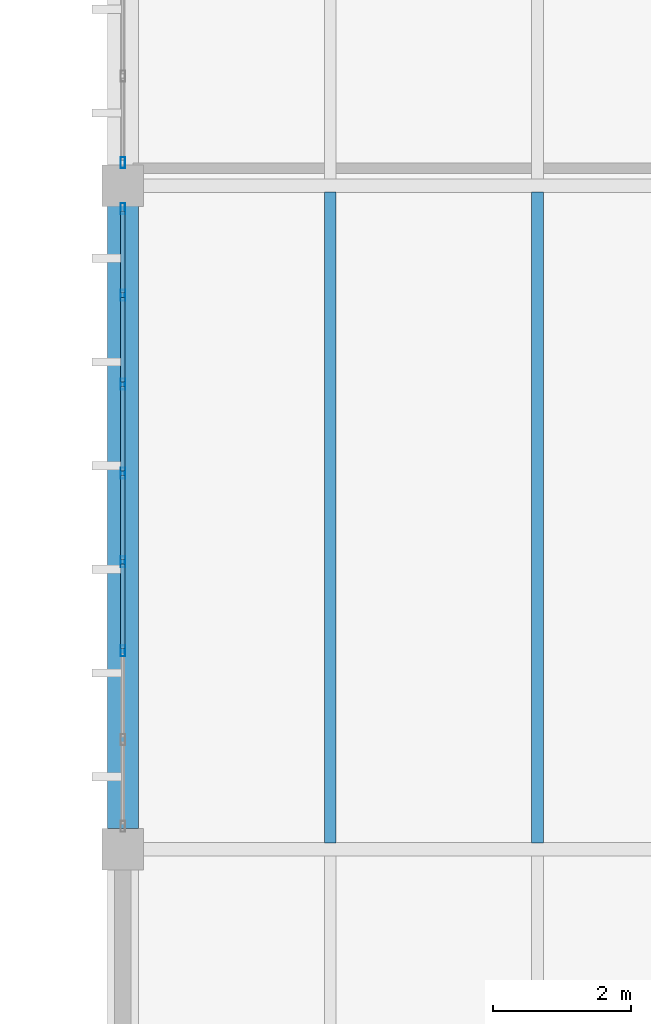
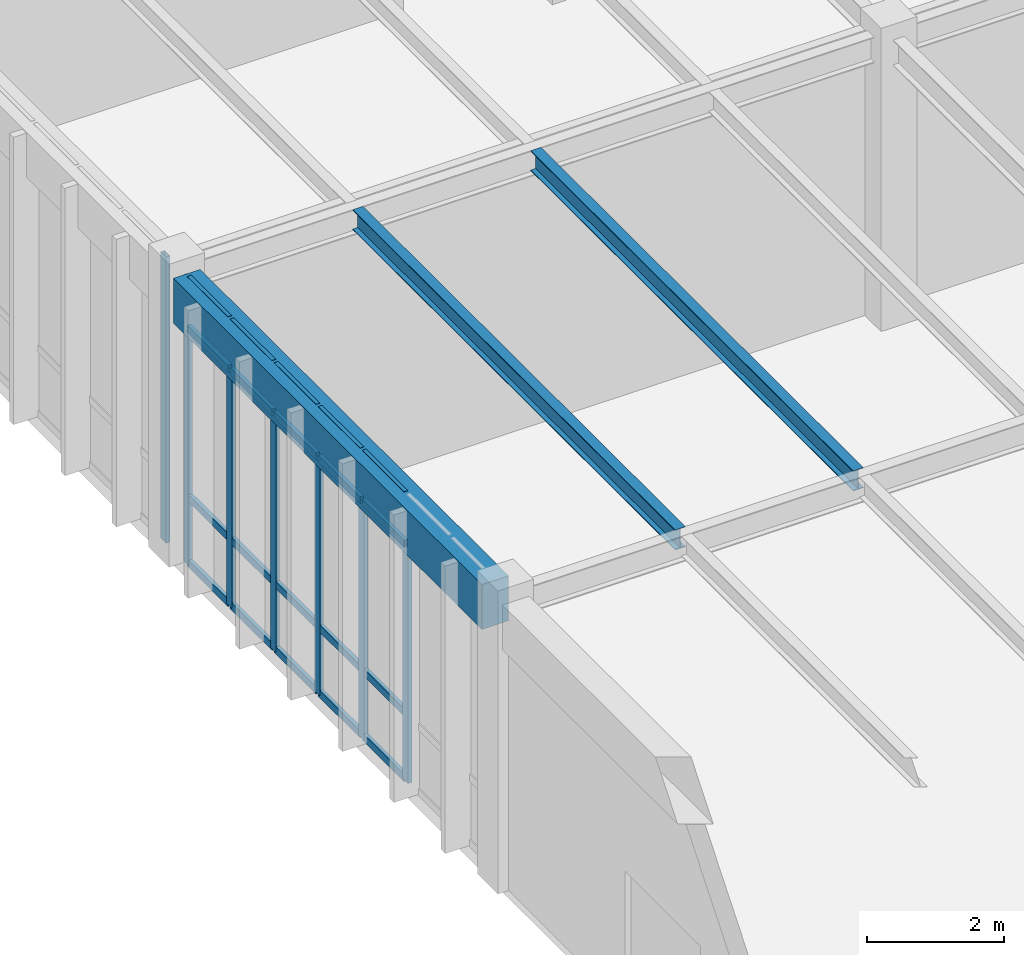
# One storey, part 98 of 188: 27 members, 3 beams, 2 elements without a shape of their own.
"""IFC4 building model written with IfcOpenShell, lengths in metres."""

from ifc_helpers import new_model, si_unit, direction, frame, origin, origin_2d, place, context, subcontext, project, spatial, rectangle, hollow_rectangle, i_section, extrude, material, layer, layer_set, material_profile, profile_set, type_object, element, aggregate, save


model = new_model("IFC4")

# Units and contexts
model_context = context("Model", 3, precision=1e-05, world=origin(), true_north=direction((0.0, 1.0)))
body_context = subcontext(model_context, "Body", "Model", "MODEL_VIEW")
ifc_project = project(units=[si_unit("LENGTHUNIT", "METRE"), si_unit("AREAUNIT", "SQUARE_METRE"), si_unit("VOLUMEUNIT", "CUBIC_METRE"), si_unit("PLANEANGLEUNIT", "RADIAN"), si_unit("MASSUNIT", "GRAM", prefix="KILO")], contexts=[model_context])

# Site, building, storey
site_placement = place(None, origin())
site = spatial("IfcSite", under=ifc_project, at=site_placement, CompositionType="ELEMENT")
building_placement = place(site_placement, origin())
building = spatial("IfcBuilding", under=site, at=building_placement, Name="Pandanus Reach Market Hall", CompositionType="ELEMENT")
storey_placement = place(building_placement, origin())
storey = spatial("IfcBuildingStorey", under=building, at=storey_placement, Name="L00", CompositionType="ELEMENT", Elevation=0.0)

# Beam
ifc_material_1 = material(Name="Concrete N40 (40 MPa)", Category="concrete")
ifc_material_profile_1 = material_profile(ifc_material_1, rectangle(XDim=0.449951171875, YDim=0.800048828125, at=origin_2d()), Name="RC450x800", Category="LoadBearing")
ifc_profile_set_1 = profile_set([ifc_material_profile_1], Name="Concrete N40 (40 MPa)")
beam_type_1 = type_object("IfcBeamType", Name="BM-RC450-E", PredefinedType="SPANDREL", material=ifc_profile_set_1)
beam_placement = place(storey_placement, frame((144.0, 29.097900390625, 4.72509765625), z_axis=(0.0, 1.0, 0.0), x_axis=(-1.0, 0.0, 0.0)))
element("IfcBeam", 1, at=beam_placement, inside=storey, type_object=beam_type_1, Name="Framing beam BM-RC450-E L00.191", PredefinedType="SPANDREL", context=body_context, shape_type="SweptSolid", body=[
    extrude(rectangle(XDim=0.449951171875, YDim=0.800048828125, at=origin_2d()), origin(), (0.0, 0.0, 1.0), 9.004150390625),
])

# Curtain wall, members
ifc_material_2 = material(Name="Bronze anodised aluminium and low-E glass", Category="aluminium")
ifc_layer = layer(ifc_material_2, 0.159912109375, Name="CW-26")
ifc_layer_set = layer_set([ifc_layer], Name="Bronze anodised aluminium and low-E glass")
curtain_wall_type = type_object("IfcCurtainWallType", Name="CW-26", PredefinedType="NOTDEFINED", material=ifc_layer_set)
curtain_wall_1_placement = place(storey_placement, origin())
curtain_wall_1 = element("IfcCurtainWall", 2, at=curtain_wall_1_placement, inside=storey, type_object=curtain_wall_type, Name="Glazed curtain wall CW-26 CW-0077", PredefinedType="NOTDEFINED")
ifc_material_3 = material(Name="Bronze anodised aluminium", Category="aluminium")
ifc_material_profile_2 = material_profile(ifc_material_3, hollow_rectangle(XDim=0.06494140625, YDim=0.159912109375, WallThickness=0.00390625, at=origin_2d()), Name="ALU65x160", Category="LoadBearing")
ifc_profile_set_2 = profile_set([ifc_material_profile_2], Name="Bronze anodised aluminium")
member_type_1 = type_object("IfcMemberType", Name="CW-M1", PredefinedType="MULLION", material=ifc_profile_set_2)
member_1_placement = place(storey_placement, frame((144.0, 31.67138671875, 0.0), z_axis=(0.0, 0.0, 1.0), x_axis=(-1.0, 0.0, 0.0)))
member_1 = element("IfcMember", 3, at=member_1_placement, type_object=member_type_1, Name="CW-26 mullion 3", PredefinedType="MULLION", context=body_context, shape_type="SweptSolid", body=[
    extrude(hollow_rectangle(XDim=0.06494140625, YDim=0.159912109375, WallThickness=0.00390625, at=origin_2d()), origin(), (0.0, 0.0, 1.0), 5.10009765625),
])
member_2_placement = place(storey_placement, frame((144.0, 32.95703125, 0.0), z_axis=(0.0, 0.0, 1.0), x_axis=(-1.0, 0.0, 0.0)))
member_2 = element("IfcMember", 4, at=member_2_placement, type_object=member_type_1, Name="CW-26 mullion 4", PredefinedType="MULLION", context=body_context, shape_type="SweptSolid", body=[
    extrude(hollow_rectangle(XDim=0.06494140625, YDim=0.159912109375, WallThickness=0.00390625, at=origin_2d()), origin(), (0.0, 0.0, 1.0), 5.10009765625),
])
member_3_placement = place(storey_placement, frame((144.0, 34.242919921875, 0.0), z_axis=(0.0, 0.0, 1.0), x_axis=(-1.0, 0.0, 0.0)))
member_3 = element("IfcMember", 5, at=member_3_placement, type_object=member_type_1, Name="CW-26 mullion 5", PredefinedType="MULLION", context=body_context, shape_type="SweptSolid", body=[
    extrude(hollow_rectangle(XDim=0.06494140625, YDim=0.159912109375, WallThickness=0.00390625, at=origin_2d()), origin(), (0.0, 0.0, 1.0), 5.10009765625),
])
member_4_placement = place(storey_placement, frame((144.0, 35.528564453125, 0.0), z_axis=(0.0, 0.0, 1.0), x_axis=(-1.0, 0.0, 0.0)))
member_4 = element("IfcMember", 6, at=member_4_placement, type_object=member_type_1, Name="CW-26 mullion 6", PredefinedType="MULLION", context=body_context, shape_type="SweptSolid", body=[
    extrude(hollow_rectangle(XDim=0.06494140625, YDim=0.159912109375, WallThickness=0.00390625, at=origin_2d()), origin(), (0.0, 0.0, 1.0), 5.10009765625),
])
member_5_placement = place(storey_placement, frame((144.0, 36.814208984375, 0.0), z_axis=(0.0, 0.0, 1.0), x_axis=(-1.0, 0.0, 0.0)))
member_5 = element("IfcMember", 7, at=member_5_placement, type_object=member_type_1, Name="CW-26 mullion 7", PredefinedType="MULLION", context=body_context, shape_type="SweptSolid", body=[
    extrude(hollow_rectangle(XDim=0.06494140625, YDim=0.159912109375, WallThickness=0.00390625, at=origin_2d()), origin(), (0.0, 0.0, 1.0), 5.10009765625),
])
member_6_placement = place(storey_placement, frame((144.0, 38.0673828125, 0.0), z_axis=(0.0, 0.0, 1.0), x_axis=(-1.0, 0.0, 0.0)))
member_6 = element("IfcMember", 8, at=member_6_placement, type_object=member_type_1, Name="CW-26 mullion 8", PredefinedType="MULLION", context=body_context, shape_type="SweptSolid", body=[
    extrude(hollow_rectangle(XDim=0.06494140625, YDim=0.159912109375, WallThickness=0.00390625, at=origin_2d()), origin(), (0.0, 0.0, 1.0), 5.10009765625),
])

# Curtain wall, member
curtain_wall_2_placement = place(storey_placement, origin())
curtain_wall_2 = element("IfcCurtainWall", 9, at=curtain_wall_2_placement, inside=storey, type_object=curtain_wall_type, Name="Glazed curtain wall CW-26 CW-0078", PredefinedType="NOTDEFINED")
member_7_placement = place(storey_placement, frame((144.0, 38.732421875, 0.0), z_axis=(0.0, 0.0, 1.0), x_axis=(-1.0, 0.0, 0.0)))
member_7 = element("IfcMember", 10, at=member_7_placement, type_object=member_type_1, Name="CW-26 mullion 1", PredefinedType="MULLION", context=body_context, shape_type="SweptSolid", body=[
    extrude(hollow_rectangle(XDim=0.06494140625, YDim=0.159912109375, WallThickness=0.00390625, at=origin_2d()), origin(), (0.0, 0.0, 1.0), 5.10009765625),
])
aggregate(curtain_wall_2, [member_7])

# Member
ifc_material_profile_3 = material_profile(ifc_material_3, hollow_rectangle(XDim=0.06494140625, YDim=0.1298828125, WallThickness=0.00390625, at=origin_2d()), Name="ALU65x130", Category="LoadBearing")
ifc_profile_set_3 = profile_set([ifc_material_profile_3], Name="Bronze anodised aluminium")
member_type_2 = type_object("IfcMemberType", Name="CW-T1", PredefinedType="USERDEFINED", material=ifc_profile_set_3)
member_8_placement = place(storey_placement, frame((144.0, 31.703857421875, 0.032470703125), z_axis=(0.0, 1.0, 0.0), x_axis=(-1.0, 0.0, 0.0)))
member_8 = element("IfcMember", 11, at=member_8_placement, type_object=member_type_2, Name="CW-26 transom 3.1", ObjectType="TRANSOM", PredefinedType="USERDEFINED", context=body_context, shape_type="SweptSolid", body=[
    extrude(hollow_rectangle(XDim=0.06494140625, YDim=0.1298828125, WallThickness=0.00390625, at=origin_2d()), origin(), (0.0, 0.0, 1.0), 1.220703125),
])

member_9_placement = place(storey_placement, frame((144.0, 31.703857421875, 1.199951171875), z_axis=(0.0, 1.0, 0.0), x_axis=(-1.0, 0.0, 0.0)))
member_9 = element("IfcMember", 12, at=member_9_placement, type_object=member_type_2, Name="CW-26 transom 3.2", ObjectType="TRANSOM", PredefinedType="USERDEFINED", context=body_context, shape_type="SweptSolid", body=[
    extrude(hollow_rectangle(XDim=0.06494140625, YDim=0.1298828125, WallThickness=0.00390625, at=origin_2d()), origin(), (0.0, 0.0, 1.0), 1.220703125),
])

member_10_placement = place(storey_placement, frame((144.0, 31.703857421875, 4.199951171875), z_axis=(0.0, 1.0, 0.0), x_axis=(-1.0, 0.0, 0.0)))
member_10 = element("IfcMember", 13, at=member_10_placement, type_object=member_type_2, Name="CW-26 transom 3.3", ObjectType="TRANSOM", PredefinedType="USERDEFINED", context=body_context, shape_type="SweptSolid", body=[
    extrude(hollow_rectangle(XDim=0.06494140625, YDim=0.1298828125, WallThickness=0.00390625, at=origin_2d()), origin(), (0.0, 0.0, 1.0), 1.220703125),
])

member_11_placement = place(storey_placement, frame((144.0, 31.703857421875, 5.0673828125), z_axis=(0.0, 1.0, 0.0), x_axis=(-1.0, 0.0, 0.0)))
member_11 = element("IfcMember", 14, at=member_11_placement, type_object=member_type_2, Name="CW-26 transom 3.4", ObjectType="TRANSOM", PredefinedType="USERDEFINED", context=body_context, shape_type="SweptSolid", body=[
    extrude(hollow_rectangle(XDim=0.06494140625, YDim=0.1298828125, WallThickness=0.00390625, at=origin_2d()), origin(), (0.0, 0.0, 1.0), 1.220703125),
])

member_12_placement = place(storey_placement, frame((144.0, 32.98974609375, 0.032470703125), z_axis=(0.0, 1.0, 0.0), x_axis=(-1.0, 0.0, 0.0)))
member_12 = element("IfcMember", 15, at=member_12_placement, type_object=member_type_2, Name="CW-26 transom 4.1", ObjectType="TRANSOM", PredefinedType="USERDEFINED", context=body_context, shape_type="SweptSolid", body=[
    extrude(hollow_rectangle(XDim=0.06494140625, YDim=0.1298828125, WallThickness=0.00390625, at=origin_2d()), origin(), (0.0, 0.0, 1.0), 1.220703125),
])

member_13_placement = place(storey_placement, frame((144.0, 32.98974609375, 1.199951171875), z_axis=(0.0, 1.0, 0.0), x_axis=(-1.0, 0.0, 0.0)))
member_13 = element("IfcMember", 16, at=member_13_placement, type_object=member_type_2, Name="CW-26 transom 4.2", ObjectType="TRANSOM", PredefinedType="USERDEFINED", context=body_context, shape_type="SweptSolid", body=[
    extrude(hollow_rectangle(XDim=0.06494140625, YDim=0.1298828125, WallThickness=0.00390625, at=origin_2d()), origin(), (0.0, 0.0, 1.0), 1.220703125),
])

member_14_placement = place(storey_placement, frame((144.0, 32.98974609375, 4.199951171875), z_axis=(0.0, 1.0, 0.0), x_axis=(-1.0, 0.0, 0.0)))
member_14 = element("IfcMember", 17, at=member_14_placement, type_object=member_type_2, Name="CW-26 transom 4.3", ObjectType="TRANSOM", PredefinedType="USERDEFINED", context=body_context, shape_type="SweptSolid", body=[
    extrude(hollow_rectangle(XDim=0.06494140625, YDim=0.1298828125, WallThickness=0.00390625, at=origin_2d()), origin(), (0.0, 0.0, 1.0), 1.220703125),
])

member_15_placement = place(storey_placement, frame((144.0, 32.98974609375, 5.0673828125), z_axis=(0.0, 1.0, 0.0), x_axis=(-1.0, 0.0, 0.0)))
member_15 = element("IfcMember", 18, at=member_15_placement, type_object=member_type_2, Name="CW-26 transom 4.4", ObjectType="TRANSOM", PredefinedType="USERDEFINED", context=body_context, shape_type="SweptSolid", body=[
    extrude(hollow_rectangle(XDim=0.06494140625, YDim=0.1298828125, WallThickness=0.00390625, at=origin_2d()), origin(), (0.0, 0.0, 1.0), 1.220703125),
])

member_16_placement = place(storey_placement, frame((144.0, 34.275390625, 0.032470703125), z_axis=(0.0, 1.0, 0.0), x_axis=(-1.0, 0.0, 0.0)))
member_16 = element("IfcMember", 19, at=member_16_placement, type_object=member_type_2, Name="CW-26 transom 5.1", ObjectType="TRANSOM", PredefinedType="USERDEFINED", context=body_context, shape_type="SweptSolid", body=[
    extrude(hollow_rectangle(XDim=0.06494140625, YDim=0.1298828125, WallThickness=0.00390625, at=origin_2d()), origin(), (0.0, 0.0, 1.0), 1.220703125),
])

member_17_placement = place(storey_placement, frame((144.0, 34.275390625, 1.199951171875), z_axis=(0.0, 1.0, 0.0), x_axis=(-1.0, 0.0, 0.0)))
member_17 = element("IfcMember", 20, at=member_17_placement, type_object=member_type_2, Name="CW-26 transom 5.2", ObjectType="TRANSOM", PredefinedType="USERDEFINED", context=body_context, shape_type="SweptSolid", body=[
    extrude(hollow_rectangle(XDim=0.06494140625, YDim=0.1298828125, WallThickness=0.00390625, at=origin_2d()), origin(), (0.0, 0.0, 1.0), 1.220703125),
])

member_18_placement = place(storey_placement, frame((144.0, 34.275390625, 4.199951171875), z_axis=(0.0, 1.0, 0.0), x_axis=(-1.0, 0.0, 0.0)))
member_18 = element("IfcMember", 21, at=member_18_placement, type_object=member_type_2, Name="CW-26 transom 5.3", ObjectType="TRANSOM", PredefinedType="USERDEFINED", context=body_context, shape_type="SweptSolid", body=[
    extrude(hollow_rectangle(XDim=0.06494140625, YDim=0.1298828125, WallThickness=0.00390625, at=origin_2d()), origin(), (0.0, 0.0, 1.0), 1.220703125),
])

member_19_placement = place(storey_placement, frame((144.0, 34.275390625, 5.0673828125), z_axis=(0.0, 1.0, 0.0), x_axis=(-1.0, 0.0, 0.0)))
member_19 = element("IfcMember", 22, at=member_19_placement, type_object=member_type_2, Name="CW-26 transom 5.4", ObjectType="TRANSOM", PredefinedType="USERDEFINED", context=body_context, shape_type="SweptSolid", body=[
    extrude(hollow_rectangle(XDim=0.06494140625, YDim=0.1298828125, WallThickness=0.00390625, at=origin_2d()), origin(), (0.0, 0.0, 1.0), 1.220703125),
])

member_20_placement = place(storey_placement, frame((144.0, 35.56103515625, 0.032470703125), z_axis=(0.0, 1.0, 0.0), x_axis=(-1.0, 0.0, 0.0)))
member_20 = element("IfcMember", 23, at=member_20_placement, type_object=member_type_2, Name="CW-26 transom 6.1", ObjectType="TRANSOM", PredefinedType="USERDEFINED", context=body_context, shape_type="SweptSolid", body=[
    extrude(hollow_rectangle(XDim=0.06494140625, YDim=0.1298828125, WallThickness=0.00390625, at=origin_2d()), origin(), (0.0, 0.0, 1.0), 1.220703125),
])

member_21_placement = place(storey_placement, frame((144.0, 35.56103515625, 1.199951171875), z_axis=(0.0, 1.0, 0.0), x_axis=(-1.0, 0.0, 0.0)))
member_21 = element("IfcMember", 24, at=member_21_placement, type_object=member_type_2, Name="CW-26 transom 6.2", ObjectType="TRANSOM", PredefinedType="USERDEFINED", context=body_context, shape_type="SweptSolid", body=[
    extrude(hollow_rectangle(XDim=0.06494140625, YDim=0.1298828125, WallThickness=0.00390625, at=origin_2d()), origin(), (0.0, 0.0, 1.0), 1.220703125),
])

member_22_placement = place(storey_placement, frame((144.0, 35.56103515625, 4.199951171875), z_axis=(0.0, 1.0, 0.0), x_axis=(-1.0, 0.0, 0.0)))
member_22 = element("IfcMember", 25, at=member_22_placement, type_object=member_type_2, Name="CW-26 transom 6.3", ObjectType="TRANSOM", PredefinedType="USERDEFINED", context=body_context, shape_type="SweptSolid", body=[
    extrude(hollow_rectangle(XDim=0.06494140625, YDim=0.1298828125, WallThickness=0.00390625, at=origin_2d()), origin(), (0.0, 0.0, 1.0), 1.220703125),
])

member_23_placement = place(storey_placement, frame((144.0, 35.56103515625, 5.0673828125), z_axis=(0.0, 1.0, 0.0), x_axis=(-1.0, 0.0, 0.0)))
member_23 = element("IfcMember", 26, at=member_23_placement, type_object=member_type_2, Name="CW-26 transom 6.4", ObjectType="TRANSOM", PredefinedType="USERDEFINED", context=body_context, shape_type="SweptSolid", body=[
    extrude(hollow_rectangle(XDim=0.06494140625, YDim=0.1298828125, WallThickness=0.00390625, at=origin_2d()), origin(), (0.0, 0.0, 1.0), 1.220703125),
])

member_24_placement = place(storey_placement, frame((144.0, 36.8466796875, 0.032470703125), z_axis=(0.0, 1.0, 0.0), x_axis=(-1.0, 0.0, 0.0)))
member_24 = element("IfcMember", 27, at=member_24_placement, type_object=member_type_2, Name="CW-26 transom 7.1", ObjectType="TRANSOM", PredefinedType="USERDEFINED", context=body_context, shape_type="SweptSolid", body=[
    extrude(hollow_rectangle(XDim=0.06494140625, YDim=0.1298828125, WallThickness=0.00390625, at=origin_2d()), origin(), (0.0, 0.0, 1.0), 1.188232421875),
])

member_25_placement = place(storey_placement, frame((144.0, 36.8466796875, 1.199951171875), z_axis=(0.0, 1.0, 0.0), x_axis=(-1.0, 0.0, 0.0)))
member_25 = element("IfcMember", 28, at=member_25_placement, type_object=member_type_2, Name="CW-26 transom 7.2", ObjectType="TRANSOM", PredefinedType="USERDEFINED", context=body_context, shape_type="SweptSolid", body=[
    extrude(hollow_rectangle(XDim=0.06494140625, YDim=0.1298828125, WallThickness=0.00390625, at=origin_2d()), origin(), (0.0, 0.0, 1.0), 1.188232421875),
])

member_26_placement = place(storey_placement, frame((144.0, 36.8466796875, 4.199951171875), z_axis=(0.0, 1.0, 0.0), x_axis=(-1.0, 0.0, 0.0)))
member_26 = element("IfcMember", 29, at=member_26_placement, type_object=member_type_2, Name="CW-26 transom 7.3", ObjectType="TRANSOM", PredefinedType="USERDEFINED", context=body_context, shape_type="SweptSolid", body=[
    extrude(hollow_rectangle(XDim=0.06494140625, YDim=0.1298828125, WallThickness=0.00390625, at=origin_2d()), origin(), (0.0, 0.0, 1.0), 1.188232421875),
])

member_27_placement = place(storey_placement, frame((144.0, 36.8466796875, 5.0673828125), z_axis=(0.0, 1.0, 0.0), x_axis=(-1.0, 0.0, 0.0)))
member_27 = element("IfcMember", 30, at=member_27_placement, type_object=member_type_2, Name="CW-26 transom 7.4", ObjectType="TRANSOM", PredefinedType="USERDEFINED", context=body_context, shape_type="SweptSolid", body=[
    extrude(hollow_rectangle(XDim=0.06494140625, YDim=0.1298828125, WallThickness=0.00390625, at=origin_2d()), origin(), (0.0, 0.0, 1.0), 1.188232421875),
])

aggregate(curtain_wall_1, [member_1, member_2, member_3, member_4, member_5, member_6, member_8, member_9, member_10, member_11, member_12, member_13, member_14, member_15, member_16, member_17, member_18, member_19, member_20, member_21, member_22, member_23, member_24, member_25, member_26, member_27])

# Beams
ifc_material_4 = material(Name="Steel Grade 350 (350 MPa)", Category="steel")
ifc_material_profile_4 = material_profile(ifc_material_4, i_section(OverallWidth=0.172119140625, OverallDepth=0.35888671875, WebThickness=0.008056640625, FlangeThickness=0.012939453125, at=origin_2d()), Name="360UB56.7", Category="LoadBearing")
ifc_profile_set_4 = profile_set([ifc_material_profile_4], Name="Steel Grade 350 (350 MPa)")
beam_type_2 = type_object("IfcBeamType", Name="JS-UB360H-I", PredefinedType="JOIST", material=ifc_profile_set_4)
for number, where, z_axis, x_axis, name in (
    (31, (147.0, 28.8935546875, 4.945068359375), (0.0, 1.0, 0.0), (-1.0, 0.0, 0.0), "Secondary joist JS-UB360H-I L00.237"),
    (32, (150.0, 28.8935546875, 4.945068359375), (0.0, 1.0, 0.0), (-1.0, 0.0, 0.0), "Secondary joist JS-UB360H-I L00.238"),
):
    element("IfcBeam", number, at=place(storey_placement, frame(where, z_axis=z_axis, x_axis=x_axis)), inside=storey, type_object=beam_type_2, Name=name, PredefinedType="JOIST", context=body_context, shape_type="SweptSolid", body=[
        extrude(i_section(OverallWidth=0.172119140625, OverallDepth=0.35888671875, WebThickness=0.008056640625, FlangeThickness=0.012939453125, at=origin_2d()), origin(), (0.0, 0.0, 1.0), 9.412841796875),
    ])

save(model, "model.ifc")
